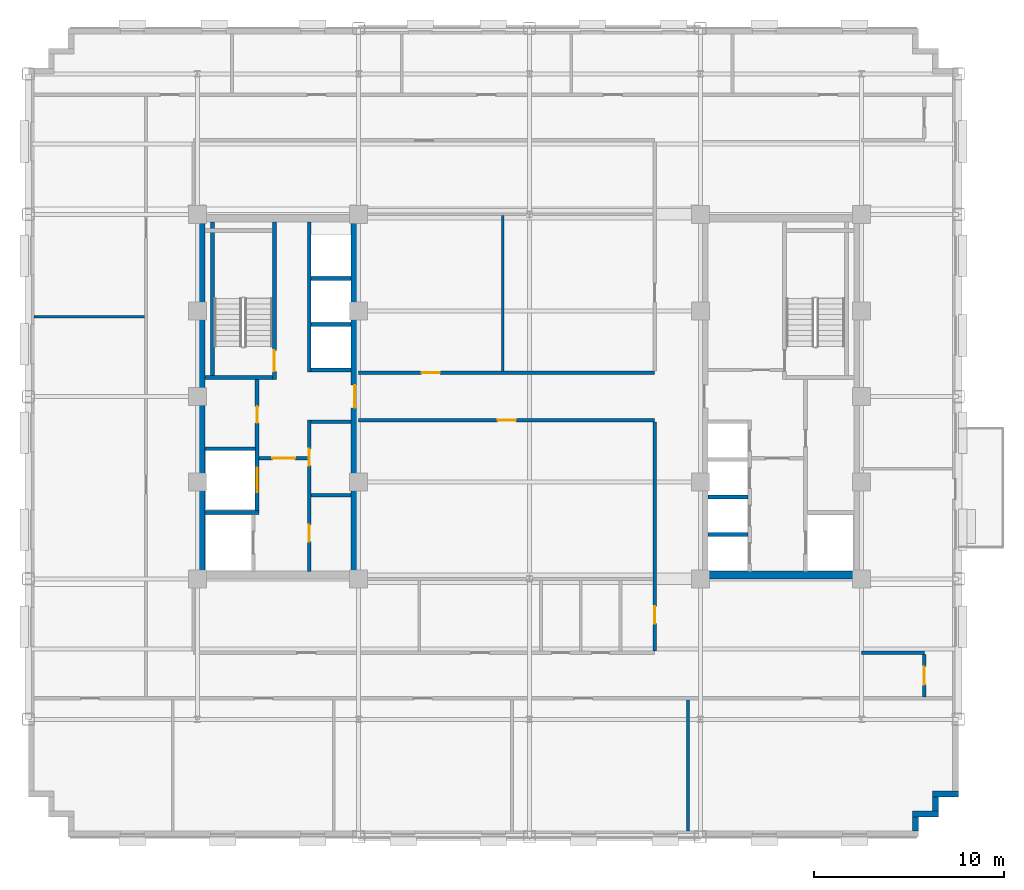
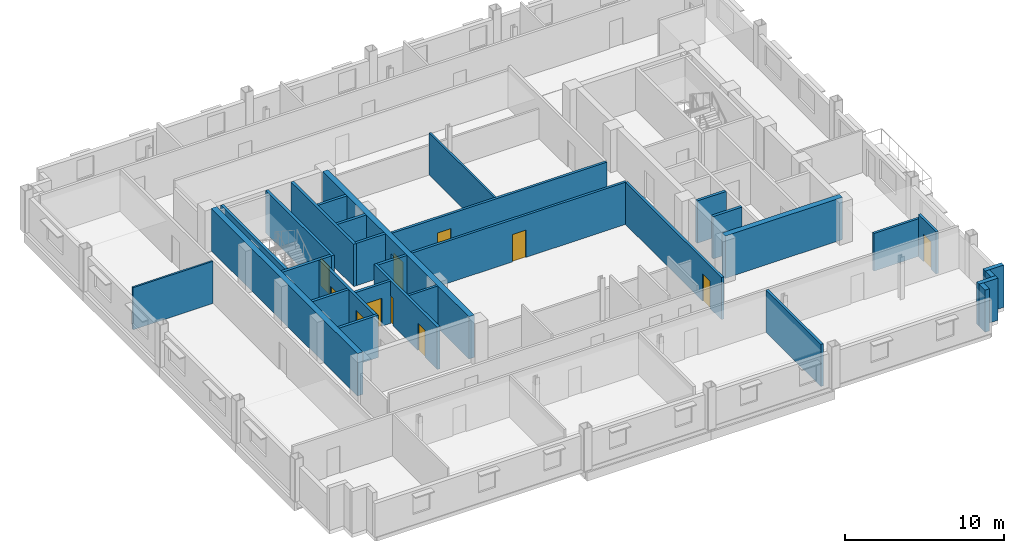
# One storey, part 8 of 14: 31 walls, 11 doors, 11 openings.
"""IFC4 building model written with IfcOpenShell, lengths in metres."""

from ifc_helpers import new_model, si_unit, direction, frame, frame_2d, origin, place, context, subcontext, project, spatial, rectangle, extrude, source, transform, mapped, material, layer, layer_set, type_object, type_shapes, element, fill, save


model = new_model("IFC4")

# Units and contexts
model_context = context("Model", 3, precision=1e-05, world=origin(), true_north=direction((0.0, 1.0)))
body_context = subcontext(model_context, "Body", "Model", "MODEL_VIEW")
ifc_project = project(units=[si_unit("LENGTHUNIT", "METRE"), si_unit("AREAUNIT", "SQUARE_METRE"), si_unit("VOLUMEUNIT", "CUBIC_METRE"), si_unit("PLANEANGLEUNIT", "RADIAN"), si_unit("MASSUNIT", "GRAM", prefix="KILO")], contexts=[model_context])

# Site, building, storey
site_placement = place(None, origin())
site = spatial("IfcSite", under=ifc_project, at=site_placement, CompositionType="ELEMENT")
building_placement = place(site_placement, origin())
building = spatial("IfcBuilding", under=site, at=building_placement, Name="Nuvemarco Arch Tower", CompositionType="ELEMENT")
storey_placement = place(building_placement, frame((0.0, 0.0, 182.25)))
storey = spatial("IfcBuildingStorey", under=building, at=storey_placement, Name="L48", CompositionType="ELEMENT", Elevation=182.25)

# Walls
ifc_material_1 = material(Name="Precast concrete C45/55", Category="concrete")
ifc_layer_1 = layer(ifc_material_1, 0.31005859375, Name="EW-UPP-310")
ifc_layer_set_1 = layer_set([ifc_layer_1], Name="Precast concrete C45/55")
wall_type_1 = type_object("IfcWallType", Name="EW-UPP-310", PredefinedType="STANDARD", material=ifc_layer_set_1)
wall_1_placement = place(storey_placement, frame((20.344970703125, -22.89404296875, 0.0), z_axis=(0.0, 0.0, 1.0), x_axis=(0.0, 1.0, 0.0)))
element("IfcWall", 1, at=wall_1_placement, inside=storey, type_object=wall_type_1, Name="L48 exterior precast facade wall 2", PredefinedType="STANDARD", context=body_context, shape_type="SweptSolid", body=[
    extrude(rectangle(XDim=0.748046875, YDim=0.31005859375, at=frame_2d((0.3740234375, 0.0))), origin(), (0.0, 0.0, 1.0), 3.239990234375),
])
wall_2_placement = place(storey_placement, frame((20.18994140625, -21.9951171875, 0.0), z_axis=(0.0, 0.0, 1.0), x_axis=(1.0, 0.0, 0.0)))
element("IfcWall", 2, at=wall_2_placement, inside=storey, type_object=wall_type_1, Name="L48 exterior precast facade wall 3", PredefinedType="STANDARD", context=body_context, shape_type="SweptSolid", body=[
    extrude(rectangle(XDim=1.360107421875, YDim=0.31005859375, at=frame_2d((0.68017578125, 0.0))), origin(), (0.0, 0.0, 1.0), 3.239990234375),
])
wall_3_placement = place(storey_placement, frame((21.39501953125, -21.843994140625, 0.0), z_axis=(0.0, 0.0, 1.0), x_axis=(0.0, 1.0, 0.0)))
element("IfcWall", 3, at=wall_3_placement, inside=storey, type_object=wall_type_1, Name="L48 exterior precast facade wall 4", PredefinedType="STANDARD", context=body_context, shape_type="SweptSolid", body=[
    extrude(rectangle(XDim=0.748046875, YDim=0.31005859375, at=frame_2d((0.3740234375, 0.0))), origin(), (0.0, 0.0, 1.0), 3.239990234375),
])
wall_4_placement = place(storey_placement, frame((21.239990234375, -20.945068359375, 0.0), z_axis=(0.0, 0.0, 1.0), x_axis=(1.0, 0.0, 0.0)))
element("IfcWall", 4, at=wall_4_placement, inside=storey, type_object=wall_type_1, Name="L48 exterior precast facade wall 5", PredefinedType="STANDARD", context=body_context, shape_type="SweptSolid", body=[
    extrude(rectangle(XDim=1.360107421875, YDim=0.31005859375, at=frame_2d((0.68017578125, 0.0))), origin(), (0.0, 0.0, 1.0), 3.239990234375),
])
ifc_material_2 = material(Name="Concrete C60/75", Category="concrete")
ifc_layer_2 = layer(ifc_material_2, 0.39990234375, Name="WL-CORE-400")
ifc_layer_set_2 = layer_set([ifc_layer_2], Name="Concrete C60/75")
wall_type_2 = type_object("IfcWallType", Name="WL-CORE-400", PredefinedType="SHEAR", material=ifc_layer_set_2)
wall_5_placement = place(storey_placement, frame((-17.300048828125, -9.205078125, 0.0), z_axis=(0.0, 0.0, 1.0), x_axis=(0.0, 1.0, 0.0)))
element("IfcWall", 5, at=wall_5_placement, inside=storey, type_object=wall_type_2, Name="L48 W-core shear wall W", PredefinedType="SHEAR", context=body_context, shape_type="SweptSolid", body=[
    extrude(rectangle(XDim=18.41015625, YDim=0.39990234375, at=frame_2d((9.205078125, 0.0))), origin(), (0.0, 0.0, 1.0), 3.25),
])

# Wall, opening, door
wall_6_placement = place(storey_placement, frame((-9.199951171875, -9.205078125, 0.0), z_axis=(0.0, 0.0, 1.0), x_axis=(0.0, 1.0, 0.0)))
wall_6 = element("IfcWall", 6, at=wall_6_placement, inside=storey, type_object=wall_type_2, Name="L48 W-core shear wall E", PredefinedType="SHEAR", context=body_context, shape_type="SweptSolid", body=[
    extrude(rectangle(XDim=18.41015625, YDim=0.39990234375, at=frame_2d((9.205078125, 0.0))), origin(), (0.0, 0.0, 1.0), 3.25),
])
opening_1_placement = place(wall_6_placement, frame((8.60498046875, 0.0, 0.0)))
opening_1 = element("IfcOpeningElement", 7, at=opening_1_placement, cuts=wall_6, Name="Opening FD-2", PredefinedType="OPENING", context=body_context, shape_type="SweptSolid", body=[
    extrude(rectangle(XDim=1.199951171875, YDim=2.14990234375, at=frame_2d((0.60009765625, 1.074951171875))), frame((0.0, 0.2099609375, 0.0), z_axis=(0.0, -1.0, 0.0), x_axis=(1.0, 0.0, 0.0)), (0.0, 0.0, 1.0), 0.419921875),
])
ifc_material_3 = material(Name="Anodised steel fire door", Category="steel")
door_type_1 = type_object("IfcDoorType", Name="DR-FFLOB-FD", OperationType="NOTDEFINED", PredefinedType="DOOR", material=ifc_material_3)
shared_shape_1 = source(origin(), body_context, "Body", "SweptSolid", [
    extrude(rectangle(XDim=1.199951171875, YDim=2.14990234375, at=frame_2d((0.60009765625, 1.074951171875))), frame((0.0, 0.02490234375, 0.0), z_axis=(0.0, -1.0, 0.0), x_axis=(1.0, 0.0, 0.0)), (0.0, 0.0, 1.0), 0.050048828125),
])
type_shapes(door_type_1, [shared_shape_1])
door_1_placement = place(opening_1_placement, origin())
door_1 = element("IfcDoor", 8, at=door_1_placement, inside=storey, type_object=door_type_1, Name="L48 door FD-L48-WCORE-E", OperationType="SINGLE_SWING_LEFT", OverallHeight=2.14990234375, OverallWidth=1.199951171875, PredefinedType="DOOR", context=body_context, shape_type="MappedRepresentation", body=[
    mapped(shared_shape_1, transform((0.0, 0.0, 0.0), scale=1.0)),
])
fill(opening_1, door_1)

# Walls
wall_7_placement = place(storey_placement, frame((9.0, -9.39990234375, 0.0), z_axis=(0.0, 0.0, 1.0), x_axis=(1.0, 0.0, 0.0)))
element("IfcWall", 9, at=wall_7_placement, inside=storey, type_object=wall_type_2, Name="L48 E-core shear wall S", PredefinedType="SHEAR", context=body_context, shape_type="SweptSolid", body=[
    extrude(rectangle(XDim=8.5, YDim=0.39990234375, at=frame_2d((4.25, 0.0))), origin(), (0.0, 0.0, 1.0), 3.25),
])
ifc_material_4 = material(Name="Fire-rated gypsum drywall partition")
ifc_layer_3 = layer(ifc_material_4, 0.179931640625, Name="WL-CORR-180")
ifc_layer_set_3 = layer_set([ifc_layer_3], Name="Fire-rated gypsum drywall partition")
wall_type_3 = type_object("IfcWallType", Name="WL-CORR-180", PredefinedType="PARTITIONING", material=ifc_layer_set_3)
wall_8_placement = place(storey_placement, frame((-11.5048828125, -5.199951171875, 0.0), z_axis=(0.0, 0.0, 1.0), x_axis=(1.0, 0.0, 0.0)))
element("IfcWall", 10, at=wall_8_placement, inside=storey, type_object=wall_type_3, Name="L48 interior wall IW-L48-W-RECK1", PredefinedType="PARTITIONING", context=body_context, shape_type="SweptSolid", body=[
    extrude(rectangle(XDim=2.10986328125, YDim=0.179931640625, at=frame_2d((1.054931640625, 0.0))), origin(), (0.0, 0.0, 1.0), 3.239990234375),
])
wall_9_placement = place(storey_placement, frame((17.5, -13.5, 0.0), z_axis=(0.0, 0.0, 1.0), x_axis=(1.0, 0.0, 0.0)))
element("IfcWall", 11, at=wall_9_placement, inside=storey, type_object=wall_type_3, Name="L48 interior wall IW-L48-003", PredefinedType="PARTITIONING", context=body_context, shape_type="SweptSolid", body=[
    extrude(rectangle(XDim=3.300048828125, YDim=0.179931640625, at=frame_2d((1.64990234375, 0.0))), origin(), (0.0, 0.0, 1.0), 2.887939453125),
])

# Wall, opening, door
wall_10_placement = place(storey_placement, frame((-9.0, -1.25, 0.0), z_axis=(0.0, 0.0, 1.0), x_axis=(1.0, 0.0, 0.0)))
wall_10 = element("IfcWall", 12, at=wall_10_placement, inside=storey, type_object=wall_type_3, Name="L48 interior wall IW-L48-007", PredefinedType="PARTITIONING", context=body_context, shape_type="SweptSolid", body=[
    extrude(rectangle(XDim=15.60009765625, YDim=0.179931640625, at=frame_2d((7.800048828125, 0.0))), origin(), (0.0, 0.0, 1.0), 3.239990234375),
])
opening_2_placement = place(wall_10_placement, frame((7.320068359375, 0.0, 0.0)))
opening_2 = element("IfcOpeningElement", 13, at=opening_2_placement, cuts=wall_10, Name="Opening FD-5", PredefinedType="OPENING", context=body_context, shape_type="SweptSolid", body=[
    extrude(rectangle(XDim=0.9599609375, YDim=2.10009765625, at=frame_2d((0.47998046875, 1.050048828125))), frame((0.0, 0.099853515625, 0.0), z_axis=(0.0, -1.0, 0.0), x_axis=(1.0, 0.0, 0.0)), (0.0, 0.0, 1.0), 0.199951171875),
])
ifc_material_5 = material(Name="Timber fire door", Category="wood")
door_type_2 = type_object("IfcDoorType", Name="DR-CORR-FD", OperationType="NOTDEFINED", PredefinedType="DOOR", material=ifc_material_5)
shared_shape_2 = source(origin(), body_context, "Body", "SweptSolid", [
    extrude(rectangle(XDim=0.9599609375, YDim=2.10009765625, at=frame_2d((0.47998046875, 1.050048828125))), frame((0.0, 0.02490234375, 0.0), z_axis=(0.0, -1.0, 0.0), x_axis=(1.0, 0.0, 0.0)), (0.0, 0.0, 1.0), 0.050048828125),
])
type_shapes(door_type_2, [shared_shape_2])
door_2_placement = place(opening_2_placement, origin())
door_2 = element("IfcDoor", 14, at=door_2_placement, inside=storey, type_object=door_type_2, Name="L48 door DR-L48-C_S1", OperationType="SINGLE_SWING_RIGHT", OverallHeight=2.10009765625, OverallWidth=0.9599609375, PredefinedType="DOOR", context=body_context, shape_type="MappedRepresentation", body=[
    mapped(shared_shape_2, transform((0.0, 0.0, 0.0), scale=1.0)),
])
fill(opening_2, door_2)

wall_11_placement = place(storey_placement, frame((-9.0, 1.25, 0.0), z_axis=(0.0, 0.0, 1.0), x_axis=(1.0, 0.0, 0.0)))
wall_11 = element("IfcWall", 15, at=wall_11_placement, inside=storey, type_object=wall_type_3, Name="L48 interior wall IW-L48-008", PredefinedType="PARTITIONING", context=body_context, shape_type="SweptSolid", body=[
    extrude(rectangle(XDim=15.60009765625, YDim=0.179931640625, at=frame_2d((7.800048828125, 0.0))), origin(), (0.0, 0.0, 1.0), 3.239990234375),
])
opening_3_placement = place(wall_11_placement, frame((3.320068359375, 0.0, 0.0)))
opening_3 = element("IfcOpeningElement", 16, at=opening_3_placement, cuts=wall_11, Name="Opening FD-5", PredefinedType="OPENING", context=body_context, shape_type="SweptSolid", body=[
    extrude(rectangle(XDim=0.9599609375, YDim=2.10009765625, at=frame_2d((0.47998046875, 1.050048828125))), frame((0.0, 0.099853515625, 0.0), z_axis=(0.0, -1.0, 0.0), x_axis=(1.0, 0.0, 0.0)), (0.0, 0.0, 1.0), 0.199951171875),
])
door_3_placement = place(opening_3_placement, origin())
door_3 = element("IfcDoor", 17, at=door_3_placement, inside=storey, type_object=door_type_2, Name="L48 door DR-L48-C_N1", OperationType="SINGLE_SWING_LEFT", OverallHeight=2.10009765625, OverallWidth=0.9599609375, PredefinedType="DOOR", context=body_context, shape_type="MappedRepresentation", body=[
    mapped(shared_shape_2, transform((0.0, 0.0, 0.0), scale=1.0)),
])
fill(opening_3, door_3)

wall_12_placement = place(storey_placement, frame((6.60009765625, -13.4140625, 0.0), z_axis=(0.0, 0.0, 1.0), x_axis=(0.0, 1.0, 0.0)))
wall_12 = element("IfcWall", 18, at=wall_12_placement, inside=storey, type_object=wall_type_3, Name="L48 interior wall IW-L48-029", PredefinedType="PARTITIONING", context=body_context, shape_type="SweptSolid", body=[
    extrude(rectangle(XDim=12.078125, YDim=0.179931640625, at=frame_2d((6.0390625, 0.0))), origin(), (0.0, 0.0, 1.0), 3.239990234375),
])
opening_4_placement = place(wall_12_placement, frame((1.45703125, 0.0, 0.0)))
opening_4 = element("IfcOpeningElement", 19, at=opening_4_placement, cuts=wall_12, Name="Opening ID-3", PredefinedType="OPENING", context=body_context, shape_type="SweptSolid", body=[
    extrude(rectangle(XDim=0.89990234375, YDim=2.10009765625, at=frame_2d((0.449951171875, 1.050048828125))), frame((0.0, 0.099853515625, 0.0), z_axis=(0.0, -1.0, 0.0), x_axis=(1.0, 0.0, 0.0)), (0.0, 0.0, 1.0), 0.199951171875),
])
ifc_material_6 = material(Name="Veneered oak timber fire door", Category="wood")
door_type_3 = type_object("IfcDoorType", Name="DR-WC-ACC", OperationType="NOTDEFINED", PredefinedType="DOOR", material=ifc_material_6)
shared_shape_3 = source(origin(), body_context, "Body", "SweptSolid", [
    extrude(rectangle(XDim=0.89990234375, YDim=2.10009765625, at=frame_2d((0.449951171875, 1.050048828125))), frame((0.0, 0.02490234375, 0.0), z_axis=(0.0, -1.0, 0.0), x_axis=(1.0, 0.0, 0.0)), (0.0, 0.0, 1.0), 0.050048828125),
])
type_shapes(door_type_3, [shared_shape_3])
door_4_placement = place(opening_4_placement, origin())
door_4 = element("IfcDoor", 20, at=door_4_placement, inside=storey, type_object=door_type_3, Name="L48 door DR-L48-WC_ACC", OperationType="SINGLE_SWING_RIGHT", OverallHeight=2.10009765625, OverallWidth=0.89990234375, PredefinedType="DOOR", context=body_context, shape_type="MappedRepresentation", body=[
    mapped(shared_shape_3, transform((0.0, 0.0, 0.0), scale=1.0)),
])
fill(opening_4, door_4)

# Wall
wall_13_placement = place(storey_placement, frame((8.35009765625, -22.889892578125, 0.0), z_axis=(0.0, 0.0, 1.0), x_axis=(0.0, 1.0, 0.0)))
element("IfcWall", 21, at=wall_13_placement, inside=storey, type_object=wall_type_3, Name="L48 interior wall IW-L48-031", PredefinedType="PARTITIONING", context=body_context, shape_type="SweptSolid", body=[
    extrude(rectangle(XDim=6.90380859375, YDim=0.179931640625, at=frame_2d((3.451904296875, 0.0))), origin(), (0.0, 0.0, 1.0), 3.239990234375),
])

# Wall, opening, door
wall_14_placement = place(storey_placement, frame((20.800048828125, -15.81396484375, 0.0), z_axis=(0.0, 0.0, 1.0), x_axis=(0.0, 1.0, 0.0)))
wall_14 = element("IfcWall", 22, at=wall_14_placement, inside=storey, type_object=wall_type_3, Name="L48 interior wall IW-L48-033", PredefinedType="PARTITIONING", context=body_context, shape_type="SweptSolid", body=[
    extrude(rectangle(XDim=2.22802734375, YDim=0.179931640625, at=frame_2d((1.114013671875, 0.0))), origin(), (0.0, 0.0, 1.0), 3.239990234375),
])
opening_5_placement = place(wall_14_placement, frame((0.634033203125, 0.0, 0.0)))
opening_5 = element("IfcOpeningElement", 23, at=opening_5_placement, cuts=wall_14, Name="Opening FD-5", PredefinedType="OPENING", context=body_context, shape_type="SweptSolid", body=[
    extrude(rectangle(XDim=0.9599609375, YDim=2.10009765625, at=frame_2d((0.47998046875, 1.050048828125))), frame((0.0, 0.099853515625, 0.0), z_axis=(0.0, -1.0, 0.0), x_axis=(1.0, 0.0, 0.0)), (0.0, 0.0, 1.0), 0.199951171875),
])
door_5_placement = place(opening_5_placement, origin())
door_5 = element("IfcDoor", 24, at=door_5_placement, inside=storey, type_object=door_type_2, Name="L48 door DR-L48-E_1", OperationType="SINGLE_SWING_RIGHT", OverallHeight=2.10009765625, OverallWidth=0.9599609375, PredefinedType="DOOR", context=body_context, shape_type="MappedRepresentation", body=[
    mapped(shared_shape_2, transform((0.0, 0.0, 0.0), scale=1.0)),
])
fill(opening_5, door_5)

# Walls
ifc_material_7 = material(Name="Glazed acoustic office partition")
ifc_layer_4 = layer(ifc_material_7, 0.1298828125, Name="WL-EXEC-130")
ifc_layer_set_4 = layer_set([ifc_layer_4], Name="Glazed acoustic office partition")
wall_type_4 = type_object("IfcWallType", Name="WL-EXEC-130", PredefinedType="PARTITIONING", material=ifc_layer_set_4)
wall_15_placement = place(storey_placement, frame((-26.090087890625, 4.199951171875, 0.0), z_axis=(0.0, 0.0, 1.0), x_axis=(1.0, 0.0, 0.0)))
element("IfcWall", 25, at=wall_15_placement, inside=storey, type_object=wall_type_4, Name="L48 interior wall IW-L48-009", PredefinedType="PARTITIONING", context=body_context, shape_type="SweptSolid", body=[
    extrude(rectangle(XDim=5.80419921875, YDim=0.1298828125, at=frame_2d((2.902099609375, 0.0))), origin(), (0.0, 0.0, 1.0), 3.239990234375),
])
ifc_material_8 = material(Name="Gypsum plasterboard partition")
ifc_layer_5 = layer(ifc_material_8, 0.139892578125, Name="WL-ROOM-140")
ifc_layer_set_5 = layer_set([ifc_layer_5], Name="Gypsum plasterboard partition")
wall_type_5 = type_object("IfcWallType", Name="WL-ROOM-140", PredefinedType="PARTITIONING", material=ifc_layer_set_5)
wall_16_placement = place(storey_placement, frame((-1.39990234375, 1.3359375, 0.0), z_axis=(0.0, 0.0, 1.0), x_axis=(0.0, 1.0, 0.0)))
element("IfcWall", 26, at=wall_16_placement, inside=storey, type_object=wall_type_5, Name="L48 interior wall IW-L48-023", PredefinedType="PARTITIONING", context=body_context, shape_type="SweptSolid", body=[
    extrude(rectangle(XDim=8.197998046875, YDim=0.139892578125, at=frame_2d((4.09912109375, 0.0))), origin(), (0.0, 0.0, 1.0), 3.239990234375),
])

# Wall, opening, door
ifc_material_9 = material(Name="Concrete C50/60", Category="concrete")
ifc_layer_6 = layer(ifc_material_9, 0.199951171875, Name="WL-SHAFT-220")
ifc_layer_set_6 = layer_set([ifc_layer_6], Name="Concrete C50/60")
wall_type_6 = type_object("IfcWallType", Name="WL-SHAFT-220", PredefinedType="SHEAR", material=ifc_layer_set_6)
wall_17_placement = place(storey_placement, frame((-13.43994140625, 0.89990234375, 0.0), z_axis=(0.0, 0.0, 1.0), x_axis=(0.0, 1.0, 0.0)))
wall_17 = element("IfcWall", 27, at=wall_17_placement, inside=storey, type_object=wall_type_6, Name="L48 structural shaft wall SW-L48-W-ST1E", PredefinedType="SHEAR", context=body_context, shape_type="SweptSolid", body=[
    extrude(rectangle(XDim=8.30517578125, YDim=0.199951171875, at=frame_2d((4.152587890625, 0.0))), origin(), (0.0, 0.0, 1.0), 3.25),
])
opening_6_placement = place(wall_17_placement, frame((1.530029296875, 0.0, 0.0), z_axis=(0.0, 0.0, 1.0), x_axis=(-1.0, 0.0, 0.0)))
opening_6 = element("IfcOpeningElement", 28, at=opening_6_placement, cuts=wall_17, Name="Opening FD-1", PredefinedType="OPENING", context=body_context, shape_type="SweptSolid", body=[
    extrude(rectangle(XDim=1.10009765625, YDim=2.14990234375, at=frame_2d((0.550048828125, 1.074951171875))), frame((0.0, 0.10986328125, 0.0), z_axis=(0.0, -1.0, 0.0), x_axis=(1.0, 0.0, 0.0)), (0.0, 0.0, 1.0), 0.219970703125),
])
door_type_4 = type_object("IfcDoorType", Name="DR-STAIR-FD", OperationType="NOTDEFINED", PredefinedType="DOOR", material=ifc_material_3)
shared_shape_4 = source(origin(), body_context, "Body", "SweptSolid", [
    extrude(rectangle(XDim=1.10009765625, YDim=2.14990234375, at=frame_2d((0.550048828125, 1.074951171875))), frame((0.0, 0.02490234375, 0.0), z_axis=(0.0, -1.0, 0.0), x_axis=(1.0, 0.0, 0.0)), (0.0, 0.0, 1.0), 0.050048828125),
])
type_shapes(door_type_4, [shared_shape_4])
door_6_placement = place(opening_6_placement, origin())
door_6 = element("IfcDoor", 29, at=door_6_placement, inside=storey, type_object=door_type_4, Name="L48 door FD-L48-ST1", OperationType="SINGLE_SWING_LEFT", OverallHeight=2.14990234375, OverallWidth=1.10009765625, PredefinedType="DOOR", context=body_context, shape_type="MappedRepresentation", body=[
    mapped(shared_shape_4, transform((0.0, 0.0, 0.0), scale=1.0)),
])
fill(opening_6, door_6)

# Walls
wall_18_placement = place(storey_placement, frame((-17.10498046875, 1.0, 0.0), z_axis=(0.0, 0.0, 1.0), x_axis=(1.0, 0.0, 0.0)))
element("IfcWall", 30, at=wall_18_placement, inside=storey, type_object=wall_type_6, Name="L48 structural shaft wall SW-L48-W-ST1S", PredefinedType="SHEAR", context=body_context, shape_type="SweptSolid", body=[
    extrude(rectangle(XDim=3.570068359375, YDim=0.199951171875, at=frame_2d((1.78515625, 0.0))), origin(), (0.0, 0.0, 1.0), 3.25),
])
wall_19_placement = place(storey_placement, frame((-16.699951171875, 1.094970703125, 0.0), z_axis=(0.0, 0.0, 1.0), x_axis=(0.0, 1.0, 0.0)))
element("IfcWall", 31, at=wall_19_placement, inside=storey, type_object=wall_type_6, Name="L48 structural shaft wall SW-L48-W-ST1W", PredefinedType="SHEAR", context=body_context, shape_type="SweptSolid", body=[
    extrude(rectangle(XDim=8.110107421875, YDim=0.199951171875, at=frame_2d((4.05517578125, 0.0))), origin(), (0.0, 0.0, 1.0), 3.25),
])

# Wall, openings, doors
wall_20_placement = place(storey_placement, frame((-14.35009765625, -6.199951171875, 0.0), z_axis=(0.0, 0.0, 1.0), x_axis=(0.0, 1.0, 0.0)))
wall_20 = element("IfcWall", 32, at=wall_20_placement, inside=storey, type_object=wall_type_6, Name="L48 structural shaft wall SW-L48-W-SVE", PredefinedType="SHEAR", context=body_context, shape_type="SweptSolid", body=[
    extrude(rectangle(XDim=7.10498046875, YDim=0.199951171875, at=frame_2d((3.552490234375, 0.0))), origin(), (0.0, 0.0, 1.0), 3.25),
])
opening_7_placement = place(wall_20_placement, frame((5.68994140625, 0.0, 0.0), z_axis=(0.0, 0.0, 1.0), x_axis=(-1.0, 0.0, 0.0)))
opening_7 = element("IfcOpeningElement", 33, at=opening_7_placement, cuts=wall_20, Name="Opening FD-4", PredefinedType="OPENING", context=body_context, shape_type="SweptSolid", body=[
    extrude(rectangle(XDim=0.8798828125, YDim=2.10009765625, at=frame_2d((0.43994140625, 1.050048828125))), frame((0.0, 0.10986328125, 0.0), z_axis=(0.0, -1.0, 0.0), x_axis=(1.0, 0.0, 0.0)), (0.0, 0.0, 1.0), 0.219970703125),
])
opening_8_placement = place(wall_20_placement, frame((1.14990234375, 0.0, 0.0)))
opening_8 = element("IfcOpeningElement", 34, at=opening_8_placement, cuts=wall_20, Name="Opening LD-3", PredefinedType="OPENING", context=body_context, shape_type="SweptSolid", body=[
    extrude(rectangle(XDim=1.300048828125, YDim=2.199951171875, at=frame_2d((0.64990234375, 1.10009765625))), frame((0.0, 0.10986328125, 0.0), z_axis=(0.0, -1.0, 0.0), x_axis=(1.0, 0.0, 0.0)), (0.0, 0.0, 1.0), 0.219970703125),
])
door_type_5 = type_object("IfcDoorType", Name="DR-RISER-FD", OperationType="NOTDEFINED", PredefinedType="DOOR", material=ifc_material_3)
shared_shape_5 = source(origin(), body_context, "Body", "SweptSolid", [
    extrude(rectangle(XDim=0.8798828125, YDim=2.10009765625, at=frame_2d((0.43994140625, 1.050048828125))), frame((0.0, 0.02490234375, 0.0), z_axis=(0.0, -1.0, 0.0), x_axis=(1.0, 0.0, 0.0)), (0.0, 0.0, 1.0), 0.050048828125),
])
type_shapes(door_type_5, [shared_shape_5])
door_7_placement = place(opening_7_placement, origin())
door_7 = element("IfcDoor", 35, at=door_7_placement, inside=storey, type_object=door_type_5, Name="L48 door FD-L48-WRIS", OperationType="SINGLE_SWING_LEFT", OverallHeight=2.10009765625, OverallWidth=0.8798828125, PredefinedType="DOOR", context=body_context, shape_type="MappedRepresentation", body=[
    mapped(shared_shape_5, transform((0.0, 0.0, 0.0), scale=1.0)),
])
fill(opening_7, door_7)
ifc_material_10 = material(Name="Stainless steel lift door", Category="steel")
door_type_6 = type_object("IfcDoorType", Name="DR-LIFT-SERV", OperationType="DOUBLE_DOOR_SLIDING", PredefinedType="DOOR", material=ifc_material_10)
shared_shape_6 = source(origin(), body_context, "Body", "SweptSolid", [
    extrude(rectangle(XDim=1.300048828125, YDim=2.199951171875, at=frame_2d((0.64990234375, 1.10009765625))), frame((0.0, 0.02490234375, 0.0), z_axis=(0.0, -1.0, 0.0), x_axis=(1.0, 0.0, 0.0)), (0.0, 0.0, 1.0), 0.050048828125),
])
type_shapes(door_type_6, [shared_shape_6])
door_8_placement = place(opening_8_placement, origin())
door_8 = element("IfcDoor", 36, at=door_8_placement, inside=storey, type_object=door_type_6, Name="L48 Lift landing sliding door SVL-1", OperationType="DOUBLE_DOOR_SLIDING", OverallHeight=2.199951171875, OverallWidth=1.300048828125, PredefinedType="DOOR", context=body_context, shape_type="MappedRepresentation", body=[
    mapped(shared_shape_6, transform((0.0, 0.0, 0.0), scale=1.0)),
])
fill(opening_8, door_8)

# Walls
wall_21_placement = place(storey_placement, frame((-17.10498046875, -6.10009765625, 0.0), z_axis=(0.0, 0.0, 1.0), x_axis=(1.0, 0.0, 0.0)))
element("IfcWall", 37, at=wall_21_placement, inside=storey, type_object=wall_type_6, Name="L48 structural shaft wall SW-L48-W-SH1", PredefinedType="SHEAR", context=body_context, shape_type="SweptSolid", body=[
    extrude(rectangle(XDim=2.85498046875, YDim=0.199951171875, at=frame_2d((1.427490234375, 0.0))), origin(), (0.0, 0.0, 1.0), 3.25),
])
wall_22_placement = place(storey_placement, frame((-17.10498046875, -2.75, 0.0), z_axis=(0.0, 0.0, 1.0), x_axis=(1.0, 0.0, 0.0)))
element("IfcWall", 38, at=wall_22_placement, inside=storey, type_object=wall_type_6, Name="L48 structural shaft wall SW-L48-W-SH2", PredefinedType="SHEAR", context=body_context, shape_type="SweptSolid", body=[
    extrude(rectangle(XDim=2.659912109375, YDim=0.199951171875, at=frame_2d((1.330078125, 0.0))), origin(), (0.0, 0.0, 1.0), 3.25),
])

# Wall, openings, doors
wall_23_placement = place(storey_placement, frame((-11.60009765625, -9.205078125, 0.0), z_axis=(0.0, 0.0, 1.0), x_axis=(0.0, 1.0, 0.0)))
wall_23 = element("IfcWall", 39, at=wall_23_placement, inside=storey, type_object=wall_type_6, Name="L48 structural shaft wall SW-L48-W-PLW", PredefinedType="SHEAR", context=body_context, shape_type="SweptSolid", body=[
    extrude(rectangle(XDim=7.97509765625, YDim=0.199951171875, at=frame_2d((3.987548828125, 0.0))), origin(), (0.0, 0.0, 1.0), 3.25),
])
opening_9_placement = place(wall_23_placement, frame((1.56494140625, 0.0, 0.0)))
opening_9 = element("IfcOpeningElement", 40, at=opening_9_placement, cuts=wall_23, Name="Opening FD-4", PredefinedType="OPENING", context=body_context, shape_type="SweptSolid", body=[
    extrude(rectangle(XDim=0.8798828125, YDim=2.10009765625, at=frame_2d((0.43994140625, 1.050048828125))), frame((0.0, 0.10986328125, 0.0), z_axis=(0.0, -1.0, 0.0), x_axis=(1.0, 0.0, 0.0)), (0.0, 0.0, 1.0), 0.219970703125),
])
opening_10_placement = place(wall_23_placement, frame((5.56494140625, 0.0, 0.0)))
opening_10 = element("IfcOpeningElement", 41, at=opening_10_placement, cuts=wall_23, Name="Opening FD-4", PredefinedType="OPENING", context=body_context, shape_type="SweptSolid", body=[
    extrude(rectangle(XDim=0.8798828125, YDim=2.10009765625, at=frame_2d((0.43994140625, 1.050048828125))), frame((0.0, 0.10986328125, 0.0), z_axis=(0.0, -1.0, 0.0), x_axis=(1.0, 0.0, 0.0)), (0.0, 0.0, 1.0), 0.219970703125),
])
door_9_placement = place(opening_9_placement, origin())
door_9 = element("IfcDoor", 42, at=door_9_placement, inside=storey, type_object=door_type_5, Name="L48 door FD-L48-WREC1", OperationType="SINGLE_SWING_LEFT", OverallHeight=2.10009765625, OverallWidth=0.8798828125, PredefinedType="DOOR", context=body_context, shape_type="MappedRepresentation", body=[
    mapped(shared_shape_5, transform((0.0, 0.0, 0.0), scale=1.0)),
])
fill(opening_9, door_9)
door_10_placement = place(opening_10_placement, origin())
door_10 = element("IfcDoor", 43, at=door_10_placement, inside=storey, type_object=door_type_5, Name="L48 door FD-L48-WREC2", OperationType="SINGLE_SWING_RIGHT", OverallHeight=2.10009765625, OverallWidth=0.8798828125, PredefinedType="DOOR", context=body_context, shape_type="MappedRepresentation", body=[
    mapped(shared_shape_5, transform((0.0, 0.0, 0.0), scale=1.0)),
])
fill(opening_10, door_10)

# Wall, opening, door
wall_24_placement = place(storey_placement, frame((-14.2548828125, -3.25, 0.0), z_axis=(0.0, 0.0, 1.0), x_axis=(1.0, 0.0, 0.0)))
wall_24 = element("IfcWall", 44, at=wall_24_placement, inside=storey, type_object=wall_type_6, Name="L48 structural shaft wall SW-L48-W-FFN", PredefinedType="SHEAR", context=body_context, shape_type="SweptSolid", body=[
    extrude(rectangle(XDim=2.559814453125, YDim=0.199951171875, at=frame_2d((1.27978515625, 0.0))), origin(), (0.0, 0.0, 1.0), 3.25),
])
opening_11_placement = place(wall_24_placement, frame((0.705078125, 0.0, 0.0)))
opening_11 = element("IfcOpeningElement", 45, at=opening_11_placement, cuts=wall_24, Name="Opening FD-2", PredefinedType="OPENING", context=body_context, shape_type="SweptSolid", body=[
    extrude(rectangle(XDim=1.199951171875, YDim=2.14990234375, at=frame_2d((0.60009765625, 1.074951171875))), frame((0.0, 0.10986328125, 0.0), z_axis=(0.0, -1.0, 0.0), x_axis=(1.0, 0.0, 0.0)), (0.0, 0.0, 1.0), 0.219970703125),
])
door_11_placement = place(opening_11_placement, origin())
door_11 = element("IfcDoor", 46, at=door_11_placement, inside=storey, type_object=door_type_1, Name="L48 door FD-L48-WFF1", OperationType="SINGLE_SWING_LEFT", OverallHeight=2.14990234375, OverallWidth=1.199951171875, PredefinedType="DOOR", context=body_context, shape_type="MappedRepresentation", body=[
    mapped(shared_shape_1, transform((0.0, 0.0, 0.0), scale=1.0)),
])
fill(opening_11, door_11)

# Walls
wall_25_placement = place(storey_placement, frame((-11.5048828125, -1.330078125, 0.0), z_axis=(0.0, 0.0, 1.0), x_axis=(1.0, 0.0, 0.0)))
element("IfcWall", 47, at=wall_25_placement, inside=storey, type_object=wall_type_6, Name="L48 structural shaft wall SW-L48-W-PLTOP", PredefinedType="SHEAR", context=body_context, shape_type="SweptSolid", body=[
    extrude(rectangle(XDim=2.10986328125, YDim=0.199951171875, at=frame_2d((1.054931640625, 0.0))), origin(), (0.0, 0.0, 1.0), 3.25),
])
wall_26_placement = place(storey_placement, frame((-11.60009765625, 1.300048828125, 0.0), z_axis=(0.0, 0.0, 1.0), x_axis=(0.0, 1.0, 0.0)))
element("IfcWall", 48, at=wall_26_placement, inside=storey, type_object=wall_type_6, Name="L48 structural shaft wall SW-L48-W-PHW", PredefinedType="SHEAR", context=body_context, shape_type="SweptSolid", body=[
    extrude(rectangle(XDim=7.905029296875, YDim=0.199951171875, at=frame_2d((3.95263671875, 0.0))), origin(), (0.0, 0.0, 1.0), 3.25),
])
for number, where, z_axis, x_axis, name in (
    (49, (-11.5048828125, 1.39990234375, 0.0), (0.0, 0.0, 1.0), (1.0, 0.0, 0.0), "L48 structural shaft wall SW-L48-W-PHD1"),
    (50, (-11.5048828125, 3.800048828125, 0.0), (0.0, 0.0, 1.0), (1.0, 0.0, 0.0), "L48 structural shaft wall SW-L48-W-PHD2"),
    (51, (-11.5048828125, 6.219970703125, 0.0), (0.0, 0.0, 1.0), (1.0, 0.0, 0.0), "L48 structural shaft wall SW-L48-W-PHD3"),
    (52, (9.39501953125, -7.27001953125, 0.0), (0.0, 0.0, 1.0), (1.0, 0.0, 0.0), "L48 structural shaft wall SW-L48-E-PMD1"),
    (53, (9.39501953125, -5.2900390625, 0.0), (0.0, 0.0, 1.0), (1.0, 0.0, 0.0), "L48 structural shaft wall SW-L48-E-PMD2"),
):
    element("IfcWall", number, at=place(storey_placement, frame(where, z_axis=z_axis, x_axis=x_axis)), inside=storey, type_object=wall_type_6, Name=name, PredefinedType="SHEAR", context=body_context, shape_type="SweptSolid", body=[
        extrude(rectangle(XDim=2.10986328125, YDim=0.199951171875, at=frame_2d((1.054931640625, 0.0))), origin(), (0.0, 0.0, 1.0), 3.25),
    ])

save(model, "model.ifc")
